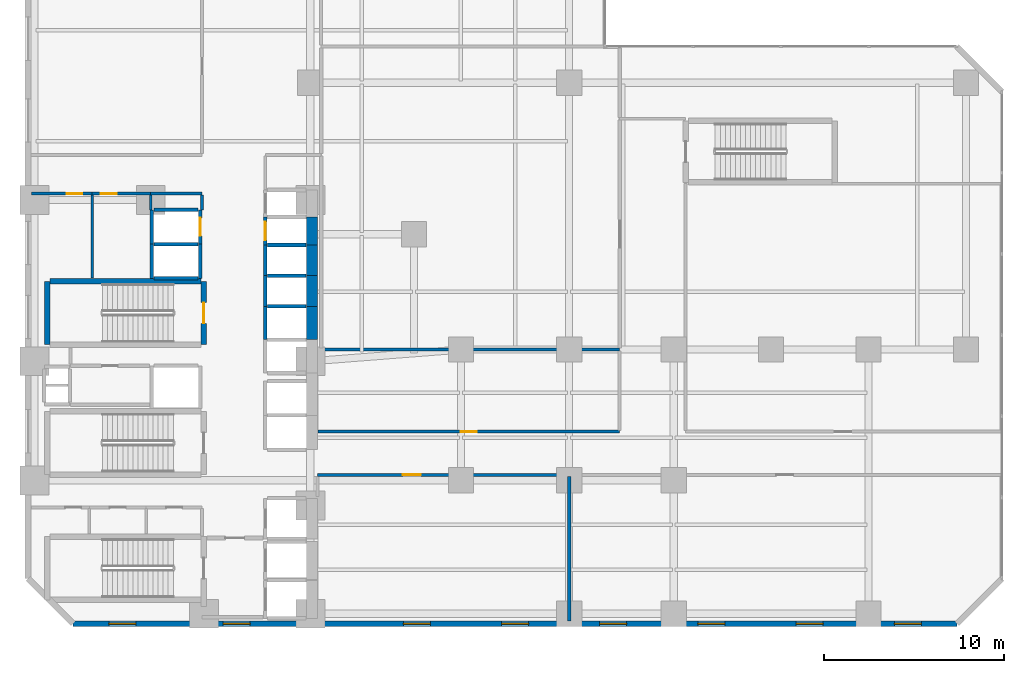
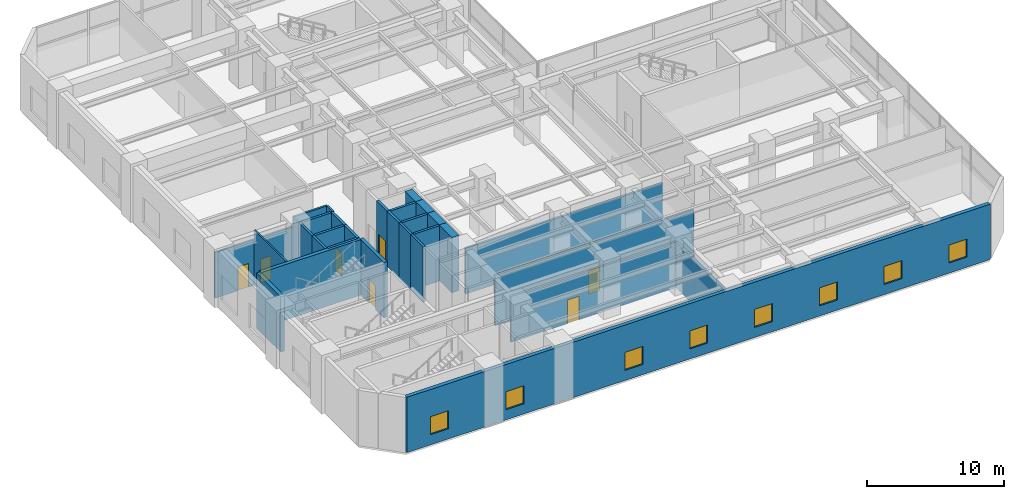
# One storey, part 15 of 22: 32 walls, 8 windows, 7 doors, 15 openings.
"""IFC4 building model written with IfcOpenShell, lengths in metres."""

from ifc_helpers import new_model, si_unit, direction, frame, frame_2d, origin, place, context, subcontext, project, spatial, rectangle, extrude, material, layer, layer_set, type_object, element, fill, save


model = new_model("IFC4")

# Units and contexts
model_context = context("Model", 3, precision=1e-05, world=origin(), true_north=direction((0.0, 1.0)))
body_context = subcontext(model_context, "Body", "Model", "MODEL_VIEW")
ifc_project = project(units=[si_unit("LENGTHUNIT", "METRE"), si_unit("AREAUNIT", "SQUARE_METRE"), si_unit("VOLUMEUNIT", "CUBIC_METRE"), si_unit("PLANEANGLEUNIT", "RADIAN"), si_unit("MASSUNIT", "GRAM", prefix="KILO")], contexts=[model_context])

# Site, building, storey
site_placement = place(None, origin())
site = spatial("IfcSite", under=ifc_project, at=site_placement, CompositionType="ELEMENT")
building_placement = place(site_placement, origin())
building = spatial("IfcBuilding", under=site, at=building_placement, Name="Mawjaban Terraces University", CompositionType="ELEMENT")
storey_placement = place(building_placement, frame((0.0, 0.0, 5.199951171875)))
storey = spatial("IfcBuildingStorey", under=building, at=storey_placement, Name="L01", CompositionType="ELEMENT", Elevation=5.199951171875)

# Walls
ifc_material_1 = material(Name="Acoustic masonry blockwork", Category="masonry")
ifc_layer_1 = layer(ifc_material_1, 0.179931640625)
ifc_layer_set_1 = layer_set([ifc_layer_1], Name="Acoustic masonry blockwork")
wall_type_1 = type_object("IfcWallType", Name="AcousticStudioWall_180", PredefinedType="PARTITIONING", material=ifc_layer_set_1)
wall_1_placement = place(storey_placement, frame((38.25, 15.199951171875, 0.0), z_axis=(0.0, 0.0, 1.0), x_axis=(1.0, 0.0, 0.0)))
element("IfcWall", 1, at=wall_1_placement, inside=storey, type_object=wall_type_1, Name="L01 Fixed-Seat Lecture Theatre Partition 15", PredefinedType="PARTITIONING", context=body_context, shape_type="SweptSolid", body=[
    extrude(rectangle(XDim=16.550048828125, YDim=0.179931640625, at=frame_2d((8.27490234375, 0.0))), origin(), (0.0, 0.0, 1.0), 4.06494140625),
])
wall_2_placement = place(storey_placement, frame((52.0, 0.155029296875, 0.0), z_axis=(0.0, 0.0, 1.0), x_axis=(0.0, 1.0, 0.0)))
element("IfcWall", 2, at=wall_2_placement, inside=storey, type_object=wall_type_1, Name="L01 Foundation Seminar Classroom Partition 39", PredefinedType="PARTITIONING", context=body_context, shape_type="SweptSolid", body=[
    extrude(rectangle(XDim=8.010009765625, YDim=0.179931640625, at=frame_2d((4.0048828125, 0.0))), origin(), (0.0, 0.0, 1.0), 4.06494140625),
])
ifc_material_2 = material(Name="Concrete C70/85", Category="concrete")
ifc_layer_2 = layer(ifc_material_2, 0.60009765625)
ifc_layer_set_2 = layer_set([ifc_layer_2], Name="Concrete C70/85")
wall_type_2 = type_object("IfcWallType", Name="CoreShearWall_600", PredefinedType="SHEAR", material=ifc_layer_set_2)
wall_3_placement = place(storey_placement, frame((37.75, 15.75, 0.0), z_axis=(0.0, 0.0, 1.0), x_axis=(0.0, 1.0, 0.0)))
element("IfcWall", 3, at=wall_3_placement, inside=storey, type_object=wall_type_2, Name="L01 Lift OL-2 Hoistway Wall East", PredefinedType="SHEAR", context=body_context, shape_type="SweptSolid", body=[
    extrude(rectangle(XDim=1.85009765625, YDim=0.60009765625, at=frame_2d((0.925048828125, 0.0))), origin(), (0.0, 0.0, 1.0), 4.920166015625),
])
for number, where, z_axis, x_axis, name in (
    (4, (37.75, 17.60009765625, 0.0), (0.0, 0.0, 1.0), (0.0, 1.0, 0.0), "L01 Lift PL-M1 Hoistway Wall East"),
    (5, (37.75, 19.300048828125, 0.0), (0.0, 0.0, 1.0), (0.0, 1.0, 0.0), "L01 Lift PL-M2 Hoistway Wall East"),
):
    element("IfcWall", number, at=place(storey_placement, frame(where, z_axis=z_axis, x_axis=x_axis)), inside=storey, type_object=wall_type_2, Name=name, PredefinedType="SHEAR", context=body_context, shape_type="SweptSolid", body=[
        extrude(rectangle(XDim=1.699951171875, YDim=0.60009765625, at=frame_2d((0.85009765625, 0.0))), origin(), (0.0, 0.0, 1.0), 4.920166015625),
    ])
wall_4_placement = place(storey_placement, frame((37.75, 21.0, 0.0), z_axis=(0.0, 0.0, 1.0), x_axis=(0.0, 1.0, 0.0)))
element("IfcWall", 6, at=wall_4_placement, inside=storey, type_object=wall_type_2, Name="L01 Lift PL-L1 Hoistway Wall East", PredefinedType="SHEAR", context=body_context, shape_type="SweptSolid", body=[
    extrude(rectangle(XDim=1.550048828125, YDim=0.60009765625, at=frame_2d((0.77490234375, 0.0))), origin(), (0.0, 0.0, 1.0), 4.920166015625),
])

# Wall, opening, door
ifc_material_3 = material(Name="Fire-rated gypsum board on steel stud", Category="steel")
ifc_layer_3 = layer(ifc_material_3, 0.159912109375)
ifc_layer_set_3 = layer_set([ifc_layer_3], Name="Fire-rated gypsum board on steel stud")
wall_type_3 = type_object("IfcWallType", Name="CorridorPartition_160", PredefinedType="PARTITIONING", material=ifc_layer_set_3)
wall_5_placement = place(storey_placement, frame((25.550048828125, 23.85009765625, 0.0), z_axis=(0.0, 0.0, 1.0), x_axis=(-1.0, 0.0, 0.0)))
wall_5 = element("IfcWall", 7, at=wall_5_placement, inside=storey, type_object=wall_type_3, Name="L01 Ablution Room Partition 5", PredefinedType="PARTITIONING", context=body_context, shape_type="SweptSolid", body=[
    extrude(rectangle(XDim=3.35009765625, YDim=0.159912109375, at=frame_2d((1.675048828125, 0.0))), origin(), (0.0, 0.0, 1.0), 4.06494140625),
])
opening_1_placement = place(wall_5_placement, frame((0.534912109375, 0.0, 0.0)))
opening_1 = element("IfcOpeningElement", 8, at=opening_1_placement, cuts=wall_5, Name="Opening ID-088", PredefinedType="OPENING", context=body_context, shape_type="SweptSolid", body=[
    extrude(rectangle(XDim=0.8798828125, YDim=2.10009765625, at=frame_2d((0.43994140625, 1.050048828125))), frame((0.0, 0.08984375, 0.0), z_axis=(0.0, -1.0, 0.0), x_axis=(1.0, 0.0, 0.0)), (0.0, 0.0, 1.0), 0.179931640625),
])
ifc_material_4 = material(Name="Powder-coated steel frame and solid acoustic timber leaf", Category="steel")
door_type_1 = type_object("IfcDoorType", Name="ToiletDoor_880x2100", OperationType="NOTDEFINED", PredefinedType="DOOR", material=ifc_material_4)
door_1_placement = place(opening_1_placement, origin())
door_1 = element("IfcDoor", 9, at=door_1_placement, inside=storey, type_object=door_type_1, Name="L01 Ablution Room Door", OperationType="SINGLE_SWING_LEFT", OverallHeight=2.10009765625, OverallWidth=0.8798828125, PredefinedType="DOOR", context=body_context, shape_type="SweptSolid", body=[
    extrude(rectangle(XDim=0.8798828125, YDim=2.10009765625, at=frame_2d((0.43994140625, 1.050048828125))), frame((0.0, 0.02490234375, 0.0), z_axis=(0.0, -1.0, 0.0), x_axis=(1.0, 0.0, 0.0)), (0.0, 0.0, 1.0), 0.050048828125),
])
fill(opening_1, door_1)

wall_6_placement = place(storey_placement, frame((28.800048828125, 23.85009765625, 0.0), z_axis=(0.0, 0.0, 1.0), x_axis=(-1.0, 0.0, 0.0)))
wall_6 = element("IfcWall", 10, at=wall_6_placement, inside=storey, type_object=wall_type_3, Name="L01 Cleaner Store Partition 7", PredefinedType="PARTITIONING", context=body_context, shape_type="SweptSolid", body=[
    extrude(rectangle(XDim=3.25, YDim=0.159912109375, at=frame_2d((1.625, 0.0))), origin(), (0.0, 0.0, 1.0), 4.06494140625),
])
opening_2_placement = place(wall_6_placement, frame((1.875, 0.0, 0.0)))
opening_2 = element("IfcOpeningElement", 11, at=opening_2_placement, cuts=wall_6, Name="Opening ID-090", PredefinedType="OPENING", context=body_context, shape_type="SweptSolid", body=[
    extrude(rectangle(XDim=0.89990234375, YDim=2.10009765625, at=frame_2d((0.449951171875, 1.050048828125))), frame((0.0, 0.08984375, 0.0), z_axis=(0.0, -1.0, 0.0), x_axis=(1.0, 0.0, 0.0)), (0.0, 0.0, 1.0), 0.179931640625),
])
door_type_2 = type_object("IfcDoorType", Name="OfficeDoor_900x2100", OperationType="NOTDEFINED", PredefinedType="DOOR", material=ifc_material_4)
door_2_placement = place(opening_2_placement, origin())
door_2 = element("IfcDoor", 12, at=door_2_placement, inside=storey, type_object=door_type_2, Name="L01 Cleaner Store Door", OperationType="SINGLE_SWING_RIGHT", OverallHeight=2.10009765625, OverallWidth=0.89990234375, PredefinedType="DOOR", context=body_context, shape_type="SweptSolid", body=[
    extrude(rectangle(XDim=0.89990234375, YDim=2.10009765625, at=frame_2d((0.449951171875, 1.050048828125))), frame((0.0, 0.02490234375, 0.0), z_axis=(0.0, -1.0, 0.0), x_axis=(1.0, 0.0, 0.0)), (0.0, 0.0, 1.0), 0.050048828125),
])
fill(opening_2, door_2)

# Wall
wall_7_placement = place(storey_placement, frame((28.800048828125, 23.85009765625, 0.0), z_axis=(0.0, 0.0, 1.0), x_axis=(1.0, 0.0, 0.0)))
element("IfcWall", 13, at=wall_7_placement, inside=storey, type_object=wall_type_3, Name="L01 North Core Cross-Corridor Partition 8", PredefinedType="PARTITIONING", context=body_context, shape_type="SweptSolid", body=[
    extrude(rectangle(XDim=2.849853515625, YDim=0.159912109375, at=frame_2d((1.4248046875, 0.0))), origin(), (0.0, 0.0, 1.0), 4.920166015625),
])

# Wall, opening, door
wall_8_placement = place(storey_placement, frame((38.050048828125, 8.25, 0.0), z_axis=(0.0, 0.0, 1.0), x_axis=(1.0, 0.0, 0.0)))
wall_8 = element("IfcWall", 14, at=wall_8_placement, inside=storey, type_object=wall_type_3, Name="L01 Podium Academic Gallery Corridor Partition 14", PredefinedType="PARTITIONING", context=body_context, shape_type="SweptSolid", body=[
    extrude(rectangle(XDim=13.949951171875, YDim=0.159912109375, at=frame_2d((6.97509765625, 0.0))), origin(), (0.0, 0.0, 1.0), 4.06494140625),
])
opening_3_placement = place(wall_8_placement, frame((4.72509765625, 0.0, 0.0)))
opening_3 = element("IfcOpeningElement", 15, at=opening_3_placement, cuts=wall_8, Name="Opening ID-100", PredefinedType="OPENING", context=body_context, shape_type="SweptSolid", body=[
    extrude(rectangle(XDim=1.0, YDim=2.10009765625, at=frame_2d((0.5, 1.050048828125))), frame((0.0, 0.08984375, 0.0), z_axis=(0.0, -1.0, 0.0), x_axis=(1.0, 0.0, 0.0)), (0.0, 0.0, 1.0), 0.179931640625),
])
door_type_3 = type_object("IfcDoorType", Name="ClassroomDoor_1000x2100", OperationType="NOTDEFINED", PredefinedType="DOOR", material=ifc_material_4)
door_3_placement = place(opening_3_placement, origin())
door_3 = element("IfcDoor", 16, at=door_3_placement, inside=storey, type_object=door_type_3, Name="L01 Foundation Seminar Classroom Door", OperationType="SINGLE_SWING_RIGHT", OverallHeight=2.10009765625, OverallWidth=1.0, PredefinedType="DOOR", context=body_context, shape_type="SweptSolid", body=[
    extrude(rectangle(XDim=1.0, YDim=2.10009765625, at=frame_2d((0.5, 1.050048828125))), frame((0.0, 0.02490234375, 0.0), z_axis=(0.0, -1.0, 0.0), x_axis=(1.0, 0.0, 0.0)), (0.0, 0.0, 1.0), 0.050048828125),
])
fill(opening_3, door_3)

wall_9_placement = place(storey_placement, frame((54.800048828125, 10.64990234375, 0.0), z_axis=(0.0, 0.0, 1.0), x_axis=(-1.0, 0.0, 0.0)))
wall_9 = element("IfcWall", 17, at=wall_9_placement, inside=storey, type_object=wall_type_3, Name="L01 Podium Academic Gallery Corridor Partition 20", PredefinedType="PARTITIONING", context=body_context, shape_type="SweptSolid", body=[
    extrude(rectangle(XDim=16.719970703125, YDim=0.159912109375, at=frame_2d((8.35986328125, 0.0))), origin(), (0.0, 0.0, 1.0), 4.450927734375),
])
opening_4_placement = place(wall_9_placement, frame((7.909912109375, 0.0, 0.0)))
opening_4 = element("IfcOpeningElement", 18, at=opening_4_placement, cuts=wall_9, Name="Opening ID-090", PredefinedType="OPENING", context=body_context, shape_type="SweptSolid", body=[
    extrude(rectangle(XDim=0.89990234375, YDim=2.10009765625, at=frame_2d((0.449951171875, 1.050048828125))), frame((0.0, 0.08984375, 0.0), z_axis=(0.0, -1.0, 0.0), x_axis=(1.0, 0.0, 0.0)), (0.0, 0.0, 1.0), 0.179931640625),
])
door_4_placement = place(opening_4_placement, origin())
door_4 = element("IfcDoor", 19, at=door_4_placement, inside=storey, type_object=door_type_2, Name="L01 Lecture Audio-Visual Preparation Room Door", OperationType="SINGLE_SWING_LEFT", OverallHeight=2.10009765625, OverallWidth=0.89990234375, PredefinedType="DOOR", context=body_context, shape_type="SweptSolid", body=[
    extrude(rectangle(XDim=0.89990234375, YDim=2.10009765625, at=frame_2d((0.449951171875, 1.050048828125))), frame((0.0, 0.02490234375, 0.0), z_axis=(0.0, -1.0, 0.0), x_axis=(1.0, 0.0, 0.0)), (0.0, 0.0, 1.0), 0.050048828125),
])
fill(opening_4, door_4)

# Wall
wall_10_placement = place(storey_placement, frame((31.64990234375, 23.77490234375, 0.0), z_axis=(0.0, 0.0, 1.0), x_axis=(0.0, -1.0, 0.0)))
element("IfcWall", 20, at=wall_10_placement, inside=storey, type_object=wall_type_3, Name="L01 Passenger Lift Lobby Partition 30", PredefinedType="PARTITIONING", context=body_context, shape_type="SweptSolid", body=[
    extrude(rectangle(XDim=0.824951171875, YDim=0.159912109375, at=frame_2d((0.41259765625, 0.0))), origin(), (0.0, 0.0, 1.0), 4.920166015625),
])

# Wall, openings, windows
ifc_material_5 = material(Name="Insulated terracotta rainscreen on concrete backup C40/50", Category="masonry")
ifc_layer_4 = layer(ifc_material_5, 0.320068359375)
ifc_layer_set_4 = layer_set([ifc_layer_4], Name="Insulated terracotta rainscreen on concrete backup C40/50")
wall_type_4 = type_object("IfcWallType", Name="ExtTerracottaWall_320", PredefinedType="SOLIDWALL", material=ifc_layer_set_4)
wall_11_placement = place(storey_placement, frame((24.5, 0.0, 0.0), z_axis=(0.0, 0.0, 1.0), x_axis=(1.0, 0.0, 0.0)))
wall_11 = element("IfcWall", 21, at=wall_11_placement, inside=storey, type_object=wall_type_4, Name="L01 Exterior Terracotta Wall 1", PredefinedType="SOLIDWALL", context=body_context, shape_type="SweptSolid", body=[
    extrude(rectangle(XDim=49.0, YDim=0.320068359375, at=frame_2d((24.5, 0.0))), origin(), (0.0, 0.0, 1.0), 4.920166015625),
])
opening_5_placement = place(wall_11_placement, frame((1.971923828125, 0.0, 0.89990234375)))
opening_5 = element("IfcOpeningElement", 22, at=opening_5_placement, cuts=wall_11, Name="Opening W-02", PredefinedType="OPENING", context=body_context, shape_type="SweptSolid", body=[
    extrude(rectangle(XDim=1.5, YDim=1.60009765625, at=frame_2d((0.75, 0.800048828125))), frame((0.0, 0.169921875, 0.0), z_axis=(0.0, -1.0, 0.0), x_axis=(1.0, 0.0, 0.0)), (0.0, 0.0, 1.0), 0.340087890625),
])
opening_6_placement = place(wall_11_placement, frame((8.31689453125, 0.0, 0.89990234375)))
opening_6 = element("IfcOpeningElement", 23, at=opening_6_placement, cuts=wall_11, Name="Opening W-02", PredefinedType="OPENING", context=body_context, shape_type="SweptSolid", body=[
    extrude(rectangle(XDim=1.5, YDim=1.60009765625, at=frame_2d((0.75, 0.800048828125))), frame((0.0, 0.169921875, 0.0), z_axis=(0.0, -1.0, 0.0), x_axis=(1.0, 0.0, 0.0)), (0.0, 0.0, 1.0), 0.340087890625),
])
opening_7_placement = place(wall_11_placement, frame((18.305908203125, 0.0, 0.89990234375)))
opening_7 = element("IfcOpeningElement", 24, at=opening_7_placement, cuts=wall_11, Name="Opening W-02", PredefinedType="OPENING", context=body_context, shape_type="SweptSolid", body=[
    extrude(rectangle(XDim=1.5, YDim=1.60009765625, at=frame_2d((0.75, 0.800048828125))), frame((0.0, 0.169921875, 0.0), z_axis=(0.0, -1.0, 0.0), x_axis=(1.0, 0.0, 0.0)), (0.0, 0.0, 1.0), 0.340087890625),
])
opening_8_placement = place(wall_11_placement, frame((23.75, 0.0, 0.89990234375)))
opening_8 = element("IfcOpeningElement", 25, at=opening_8_placement, cuts=wall_11, Name="Opening W-02", PredefinedType="OPENING", context=body_context, shape_type="SweptSolid", body=[
    extrude(rectangle(XDim=1.5, YDim=1.60009765625, at=frame_2d((0.75, 0.800048828125))), frame((0.0, 0.169921875, 0.0), z_axis=(0.0, -1.0, 0.0), x_axis=(1.0, 0.0, 0.0)), (0.0, 0.0, 1.0), 0.340087890625),
])
opening_9_placement = place(wall_11_placement, frame((29.194091796875, 0.0, 0.89990234375)))
opening_9 = element("IfcOpeningElement", 26, at=opening_9_placement, cuts=wall_11, Name="Opening W-02", PredefinedType="OPENING", context=body_context, shape_type="SweptSolid", body=[
    extrude(rectangle(XDim=1.5, YDim=1.60009765625, at=frame_2d((0.75, 0.800048828125))), frame((0.0, 0.169921875, 0.0), z_axis=(0.0, -1.0, 0.0), x_axis=(1.0, 0.0, 0.0)), (0.0, 0.0, 1.0), 0.340087890625),
])
opening_10_placement = place(wall_11_placement, frame((34.638916015625, 0.0, 0.89990234375)))
opening_10 = element("IfcOpeningElement", 27, at=opening_10_placement, cuts=wall_11, Name="Opening W-02", PredefinedType="OPENING", context=body_context, shape_type="SweptSolid", body=[
    extrude(rectangle(XDim=1.5, YDim=1.60009765625, at=frame_2d((0.75, 0.800048828125))), frame((0.0, 0.169921875, 0.0), z_axis=(0.0, -1.0, 0.0), x_axis=(1.0, 0.0, 0.0)), (0.0, 0.0, 1.0), 0.340087890625),
])
opening_11_placement = place(wall_11_placement, frame((40.0830078125, 0.0, 0.89990234375)))
opening_11 = element("IfcOpeningElement", 28, at=opening_11_placement, cuts=wall_11, Name="Opening W-02", PredefinedType="OPENING", context=body_context, shape_type="SweptSolid", body=[
    extrude(rectangle(XDim=1.5, YDim=1.60009765625, at=frame_2d((0.75, 0.800048828125))), frame((0.0, 0.169921875, 0.0), z_axis=(0.0, -1.0, 0.0), x_axis=(1.0, 0.0, 0.0)), (0.0, 0.0, 1.0), 0.340087890625),
])
opening_12_placement = place(wall_11_placement, frame((45.528076171875, 0.0, 0.89990234375)))
opening_12 = element("IfcOpeningElement", 29, at=opening_12_placement, cuts=wall_11, Name="Opening W-02", PredefinedType="OPENING", context=body_context, shape_type="SweptSolid", body=[
    extrude(rectangle(XDim=1.5, YDim=1.60009765625, at=frame_2d((0.75, 0.800048828125))), frame((0.0, 0.169921875, 0.0), z_axis=(0.0, -1.0, 0.0), x_axis=(1.0, 0.0, 0.0)), (0.0, 0.0, 1.0), 0.340087890625),
])
ifc_material_6 = material(Name="Low-E solar-control double glazing in thermally broken aluminium frame", Category="aluminium")
window_type = type_object("IfcWindowType", Name="Win_1500x1600", PartitioningType="SINGLE_PANEL", PredefinedType="WINDOW", material=ifc_material_6)
window_1_placement = place(opening_5_placement, origin())
window_1 = element("IfcWindow", 30, at=window_1_placement, inside=storey, type_object=window_type, Name="L01 Facade Window 1.1", OverallHeight=1.60009765625, OverallWidth=1.5, PartitioningType="SINGLE_PANEL", PredefinedType="WINDOW", context=body_context, shape_type="SweptSolid", body=[
    extrude(rectangle(XDim=1.5, YDim=1.60009765625, at=frame_2d((0.75, 0.800048828125))), frame((0.0, 0.030029296875, 0.0), z_axis=(0.0, -1.0, 0.0), x_axis=(1.0, 0.0, 0.0)), (0.0, 0.0, 1.0), 0.06005859375),
])
fill(opening_5, window_1)
window_2_placement = place(opening_6_placement, origin())
window_2 = element("IfcWindow", 31, at=window_2_placement, inside=storey, type_object=window_type, Name="L01 Facade Window 1.2", OverallHeight=1.60009765625, OverallWidth=1.5, PartitioningType="SINGLE_PANEL", PredefinedType="WINDOW", context=body_context, shape_type="SweptSolid", body=[
    extrude(rectangle(XDim=1.5, YDim=1.60009765625, at=frame_2d((0.75, 0.800048828125))), frame((0.0, 0.030029296875, 0.0), z_axis=(0.0, -1.0, 0.0), x_axis=(1.0, 0.0, 0.0)), (0.0, 0.0, 1.0), 0.06005859375),
])
fill(opening_6, window_2)
window_3_placement = place(opening_7_placement, origin())
window_3 = element("IfcWindow", 32, at=window_3_placement, inside=storey, type_object=window_type, Name="L01 Facade Window 1.4", OverallHeight=1.60009765625, OverallWidth=1.5, PartitioningType="SINGLE_PANEL", PredefinedType="WINDOW", context=body_context, shape_type="SweptSolid", body=[
    extrude(rectangle(XDim=1.5, YDim=1.60009765625, at=frame_2d((0.75, 0.800048828125))), frame((0.0, 0.030029296875, 0.0), z_axis=(0.0, -1.0, 0.0), x_axis=(1.0, 0.0, 0.0)), (0.0, 0.0, 1.0), 0.06005859375),
])
fill(opening_7, window_3)
window_4_placement = place(opening_8_placement, origin())
window_4 = element("IfcWindow", 33, at=window_4_placement, inside=storey, type_object=window_type, Name="L01 Facade Window 1.5", OverallHeight=1.60009765625, OverallWidth=1.5, PartitioningType="SINGLE_PANEL", PredefinedType="WINDOW", context=body_context, shape_type="SweptSolid", body=[
    extrude(rectangle(XDim=1.5, YDim=1.60009765625, at=frame_2d((0.75, 0.800048828125))), frame((0.0, 0.030029296875, 0.0), z_axis=(0.0, -1.0, 0.0), x_axis=(1.0, 0.0, 0.0)), (0.0, 0.0, 1.0), 0.06005859375),
])
fill(opening_8, window_4)
window_5_placement = place(opening_9_placement, origin())
window_5 = element("IfcWindow", 34, at=window_5_placement, inside=storey, type_object=window_type, Name="L01 Facade Window 1.6", OverallHeight=1.60009765625, OverallWidth=1.5, PartitioningType="SINGLE_PANEL", PredefinedType="WINDOW", context=body_context, shape_type="SweptSolid", body=[
    extrude(rectangle(XDim=1.5, YDim=1.60009765625, at=frame_2d((0.75, 0.800048828125))), frame((0.0, 0.030029296875, 0.0), z_axis=(0.0, -1.0, 0.0), x_axis=(1.0, 0.0, 0.0)), (0.0, 0.0, 1.0), 0.06005859375),
])
fill(opening_9, window_5)
window_6_placement = place(opening_10_placement, origin())
window_6 = element("IfcWindow", 35, at=window_6_placement, inside=storey, type_object=window_type, Name="L01 Facade Window 1.7", OverallHeight=1.60009765625, OverallWidth=1.5, PartitioningType="SINGLE_PANEL", PredefinedType="WINDOW", context=body_context, shape_type="SweptSolid", body=[
    extrude(rectangle(XDim=1.5, YDim=1.60009765625, at=frame_2d((0.75, 0.800048828125))), frame((0.0, 0.030029296875, 0.0), z_axis=(0.0, -1.0, 0.0), x_axis=(1.0, 0.0, 0.0)), (0.0, 0.0, 1.0), 0.06005859375),
])
fill(opening_10, window_6)
window_7_placement = place(opening_11_placement, origin())
window_7 = element("IfcWindow", 36, at=window_7_placement, inside=storey, type_object=window_type, Name="L01 Facade Window 1.8", OverallHeight=1.60009765625, OverallWidth=1.5, PartitioningType="SINGLE_PANEL", PredefinedType="WINDOW", context=body_context, shape_type="SweptSolid", body=[
    extrude(rectangle(XDim=1.5, YDim=1.60009765625, at=frame_2d((0.75, 0.800048828125))), frame((0.0, 0.030029296875, 0.0), z_axis=(0.0, -1.0, 0.0), x_axis=(1.0, 0.0, 0.0)), (0.0, 0.0, 1.0), 0.06005859375),
])
fill(opening_11, window_7)
window_8_placement = place(opening_12_placement, origin())
window_8 = element("IfcWindow", 37, at=window_8_placement, inside=storey, type_object=window_type, Name="L01 Facade Window 1.9", OverallHeight=1.60009765625, OverallWidth=1.5, PartitioningType="SINGLE_PANEL", PredefinedType="WINDOW", context=body_context, shape_type="SweptSolid", body=[
    extrude(rectangle(XDim=1.5, YDim=1.60009765625, at=frame_2d((0.75, 0.800048828125))), frame((0.0, 0.030029296875, 0.0), z_axis=(0.0, -1.0, 0.0), x_axis=(1.0, 0.0, 0.0)), (0.0, 0.0, 1.0), 0.06005859375),
])
fill(opening_12, window_8)

# Walls
ifc_material_7 = material(Name="Concrete C40/50", Category="concrete")
ifc_layer_5 = layer(ifc_material_7, 0.199951171875)
ifc_layer_set_5 = layer_set([ifc_layer_5], Name="Concrete C40/50")
wall_type_5 = type_object("IfcWallType", Name="FireLobbyWall_200", PredefinedType="SOLIDWALL", material=ifc_layer_set_5)
wall_12_placement = place(storey_placement, frame((35.14990234375, 17.60009765625, 0.0), z_axis=(0.0, 0.0, 1.0), x_axis=(0.0, -1.0, 0.0)))
element("IfcWall", 38, at=wall_12_placement, inside=storey, type_object=wall_type_5, Name="L01 Lift OL-2 Hoistway Wall West", PredefinedType="SOLIDWALL", context=body_context, shape_type="SweptSolid", body=[
    extrude(rectangle(XDim=1.85009765625, YDim=0.199951171875, at=frame_2d((0.925048828125, 0.0))), origin(), (0.0, 0.0, 1.0), 4.920166015625),
])
wall_13_placement = place(storey_placement, frame((37.419921875, 17.60009765625, 0.0), z_axis=(0.0, 0.0, 1.0), x_axis=(-1.0, 0.0, 0.0)))
element("IfcWall", 39, at=wall_13_placement, inside=storey, type_object=wall_type_5, Name="L01 Lift OL-2 Hoistway Wall North", PredefinedType="SOLIDWALL", context=body_context, shape_type="SweptSolid", body=[
    extrude(rectangle(XDim=2.139892578125, YDim=0.199951171875, at=frame_2d((1.06982421875, 0.0))), origin(), (0.0, 0.0, 1.0), 4.920166015625),
])
wall_14_placement = place(storey_placement, frame((35.14990234375, 19.300048828125, 0.0), z_axis=(0.0, 0.0, 1.0), x_axis=(0.0, -1.0, 0.0)))
element("IfcWall", 40, at=wall_14_placement, inside=storey, type_object=wall_type_5, Name="L01 Lift PL-M1 Hoistway Wall West", PredefinedType="SOLIDWALL", context=body_context, shape_type="SweptSolid", body=[
    extrude(rectangle(XDim=1.699951171875, YDim=0.199951171875, at=frame_2d((0.85009765625, 0.0))), origin(), (0.0, 0.0, 1.0), 4.920166015625),
])
wall_15_placement = place(storey_placement, frame((37.419921875, 19.300048828125, 0.0), z_axis=(0.0, 0.0, 1.0), x_axis=(-1.0, 0.0, 0.0)))
element("IfcWall", 41, at=wall_15_placement, inside=storey, type_object=wall_type_5, Name="L01 Lift PL-M1 Hoistway Wall North", PredefinedType="SOLIDWALL", context=body_context, shape_type="SweptSolid", body=[
    extrude(rectangle(XDim=2.139892578125, YDim=0.199951171875, at=frame_2d((1.06982421875, 0.0))), origin(), (0.0, 0.0, 1.0), 4.920166015625),
])
wall_16_placement = place(storey_placement, frame((35.14990234375, 21.0, 0.0), z_axis=(0.0, 0.0, 1.0), x_axis=(0.0, -1.0, 0.0)))
element("IfcWall", 42, at=wall_16_placement, inside=storey, type_object=wall_type_5, Name="L01 Lift PL-M2 Hoistway Wall West", PredefinedType="SOLIDWALL", context=body_context, shape_type="SweptSolid", body=[
    extrude(rectangle(XDim=1.699951171875, YDim=0.199951171875, at=frame_2d((0.85009765625, 0.0))), origin(), (0.0, 0.0, 1.0), 4.920166015625),
])
wall_17_placement = place(storey_placement, frame((37.419921875, 21.0, 0.0), z_axis=(0.0, 0.0, 1.0), x_axis=(-1.0, 0.0, 0.0)))
element("IfcWall", 43, at=wall_17_placement, inside=storey, type_object=wall_type_5, Name="L01 Lift PL-M2 Hoistway Wall North", PredefinedType="SOLIDWALL", context=body_context, shape_type="SweptSolid", body=[
    extrude(rectangle(XDim=2.139892578125, YDim=0.199951171875, at=frame_2d((1.06982421875, 0.0))), origin(), (0.0, 0.0, 1.0), 4.920166015625),
])
for number, where, z_axis, x_axis, name in (
    (44, (28.85009765625, 21.050048828125, 0.0), (0.0, 0.0, 1.0), (0.0, -1.0, 0.0), "L01 Lift PL-M3 Hoistway Wall West"),
    (45, (31.550048828125, 19.14990234375, 0.0), (0.0, 0.0, 1.0), (0.0, 1.0, 0.0), "L01 Lift PL-M3 Hoistway Wall East"),
):
    element("IfcWall", number, at=place(storey_placement, frame(where, z_axis=z_axis, x_axis=x_axis)), inside=storey, type_object=wall_type_5, Name=name, PredefinedType="SOLIDWALL", context=body_context, shape_type="SweptSolid", body=[
        extrude(rectangle(XDim=1.900146484375, YDim=0.199951171875, at=frame_2d((0.9501953125, 0.0))), origin(), (0.0, 0.0, 1.0), 4.920166015625),
    ])
for number, where, z_axis, x_axis, name in (
    (46, (28.97998046875, 19.14990234375, 0.0), (0.0, 0.0, 1.0), (1.0, 0.0, 0.0), "L01 Lift PL-M3 Hoistway Wall South"),
    (47, (31.419921875, 21.050048828125, 0.0), (0.0, 0.0, 1.0), (-1.0, 0.0, 0.0), "L01 Lift PL-M3 Hoistway Wall North"),
):
    element("IfcWall", number, at=place(storey_placement, frame(where, z_axis=z_axis, x_axis=x_axis)), inside=storey, type_object=wall_type_5, Name=name, PredefinedType="SOLIDWALL", context=body_context, shape_type="SweptSolid", body=[
        extrude(rectangle(XDim=2.43994140625, YDim=0.199951171875, at=frame_2d((1.219970703125, 0.0))), origin(), (0.0, 0.0, 1.0), 4.920166015625),
    ])

# Wall, opening, door
wall_18_placement = place(storey_placement, frame((35.14990234375, 22.550048828125, 0.0), z_axis=(0.0, 0.0, 1.0), x_axis=(0.0, -1.0, 0.0)))
wall_18 = element("IfcWall", 48, at=wall_18_placement, inside=storey, type_object=wall_type_5, Name="L01 Lift PL-L1 Hoistway Wall West", PredefinedType="SOLIDWALL", context=body_context, shape_type="SweptSolid", body=[
    extrude(rectangle(XDim=1.550048828125, YDim=0.199951171875, at=frame_2d((0.77490234375, 0.0))), origin(), (0.0, 0.0, 1.0), 4.920166015625),
])
opening_13_placement = place(wall_18_placement, frame((0.27490234375, 0.0, 0.0)))
opening_13 = element("IfcOpeningElement", 49, at=opening_13_placement, cuts=wall_18, Name="Opening LD-PL-L1", PredefinedType="OPENING", context=body_context, shape_type="SweptSolid", body=[
    extrude(rectangle(XDim=1.0, YDim=2.10009765625, at=frame_2d((0.5, 1.050048828125))), frame((0.0, 0.10986328125, 0.0), z_axis=(0.0, -1.0, 0.0), x_axis=(1.0, 0.0, 0.0)), (0.0, 0.0, 1.0), 0.219970703125),
])
ifc_material_8 = material(Name="Powder-coated steel frame and fire-rated steel-faced leaf", Category="steel")
door_type_4 = type_object("IfcDoorType", Name="LiftLandingSliding_1000x2100", OperationType="NOTDEFINED", PredefinedType="DOOR", material=ifc_material_8)
door_5_placement = place(opening_13_placement, origin())
door_5 = element("IfcDoor", 50, at=door_5_placement, inside=storey, type_object=door_type_4, Name="L01 Lift PL-L1 Sliding Landing Door", OperationType="DOUBLE_DOOR_SLIDING", OverallHeight=2.10009765625, OverallWidth=1.0, PredefinedType="DOOR", context=body_context, shape_type="SweptSolid", body=[
    extrude(rectangle(XDim=1.0, YDim=2.10009765625, at=frame_2d((0.5, 1.050048828125))), frame((0.0, 0.02490234375, 0.0), z_axis=(0.0, -1.0, 0.0), x_axis=(1.0, 0.0, 0.0)), (0.0, 0.0, 1.0), 0.050048828125),
])
fill(opening_13, door_5)

# Wall
wall_19_placement = place(storey_placement, frame((28.85009765625, 22.949951171875, 0.0), z_axis=(0.0, 0.0, 1.0), x_axis=(0.0, -1.0, 0.0)))
element("IfcWall", 51, at=wall_19_placement, inside=storey, type_object=wall_type_5, Name="L01 Lift PL-L3 Hoistway Wall West", PredefinedType="SOLIDWALL", context=body_context, shape_type="SweptSolid", body=[
    extrude(rectangle(XDim=1.89990234375, YDim=0.199951171875, at=frame_2d((0.949951171875, 0.0))), origin(), (0.0, 0.0, 1.0), 4.920166015625),
])

# Wall, opening, door
wall_20_placement = place(storey_placement, frame((31.550048828125, 21.050048828125, 0.0), z_axis=(0.0, 0.0, 1.0), x_axis=(0.0, 1.0, 0.0)))
wall_20 = element("IfcWall", 52, at=wall_20_placement, inside=storey, type_object=wall_type_5, Name="L01 Lift PL-L3 Hoistway Wall East", PredefinedType="SOLIDWALL", context=body_context, shape_type="SweptSolid", body=[
    extrude(rectangle(XDim=1.89990234375, YDim=0.199951171875, at=frame_2d((0.949951171875, 0.0))), origin(), (0.0, 0.0, 1.0), 4.920166015625),
])
opening_14_placement = place(wall_20_placement, frame((0.449951171875, 0.0, 0.0)))
opening_14 = element("IfcOpeningElement", 53, at=opening_14_placement, cuts=wall_20, Name="Opening LD-PL-L3", PredefinedType="OPENING", context=body_context, shape_type="SweptSolid", body=[
    extrude(rectangle(XDim=1.0, YDim=2.10009765625, at=frame_2d((0.5, 1.050048828125))), frame((0.0, 0.10986328125, 0.0), z_axis=(0.0, -1.0, 0.0), x_axis=(1.0, 0.0, 0.0)), (0.0, 0.0, 1.0), 0.219970703125),
])
door_6_placement = place(opening_14_placement, origin())
door_6 = element("IfcDoor", 54, at=door_6_placement, inside=storey, type_object=door_type_4, Name="L01 Lift PL-L3 Sliding Landing Door", OperationType="DOUBLE_DOOR_SLIDING", OverallHeight=2.10009765625, OverallWidth=1.0, PredefinedType="DOOR", context=body_context, shape_type="SweptSolid", body=[
    extrude(rectangle(XDim=1.0, YDim=2.10009765625, at=frame_2d((0.5, 1.050048828125))), frame((0.0, 0.02490234375, 0.0), z_axis=(0.0, -1.0, 0.0), x_axis=(1.0, 0.0, 0.0)), (0.0, 0.0, 1.0), 0.050048828125),
])
fill(opening_14, door_6)

# Walls
wall_21_placement = place(storey_placement, frame((31.429931640625, 22.949951171875, 0.0), z_axis=(0.0, 0.0, 1.0), x_axis=(-1.0, 0.0, 0.0)))
element("IfcWall", 55, at=wall_21_placement, inside=storey, type_object=wall_type_5, Name="L01 Lift PL-L3 Hoistway Wall North", PredefinedType="SOLIDWALL", context=body_context, shape_type="SweptSolid", body=[
    extrude(rectangle(XDim=2.4599609375, YDim=0.199951171875, at=frame_2d((1.22998046875, 0.0))), origin(), (0.0, 0.0, 1.0), 4.920166015625),
])
ifc_material_9 = material(Name="Gypsum plasterboard on steel stud", Category="steel")
ifc_layer_6 = layer(ifc_material_9, 0.125)
ifc_layer_set_6 = layer_set([ifc_layer_6], Name="Gypsum plasterboard on steel stud")
wall_type_6 = type_object("IfcWallType", Name="OfficePartition_125", PredefinedType="PARTITIONING", material=ifc_layer_set_6)
wall_22_placement = place(storey_placement, frame((28.800048828125, 22.949951171875, 0.0), z_axis=(0.0, 0.0, 1.0), x_axis=(0.0, 1.0, 0.0)))
element("IfcWall", 56, at=wall_22_placement, inside=storey, type_object=wall_type_6, Name="L01 Cleaner Store Partition 28", PredefinedType="PARTITIONING", context=body_context, shape_type="SweptSolid", body=[
    extrude(rectangle(XDim=0.824951171875, YDim=0.125, at=frame_2d((0.41259765625, 0.0))), origin(), (0.0, 0.0, 1.0), 4.920166015625),
])
ifc_material_10 = material(Name="Concrete C60/75", Category="concrete")
ifc_layer_7 = layer(ifc_material_10, 0.300048828125)
ifc_layer_set_7 = layer_set([ifc_layer_7], Name="Concrete C60/75")
wall_type_7 = type_object("IfcWallType", Name="StairShaftWall_300", PredefinedType="SHEAR", material=ifc_layer_set_7)
wall_23_placement = place(storey_placement, frame((31.580078125, 18.97998046875, 0.0), z_axis=(0.0, 0.0, 1.0), x_axis=(-1.0, 0.0, 0.0)))
element("IfcWall", 57, at=wall_23_placement, inside=storey, type_object=wall_type_7, Name="L01 ST-2 Stair Shaft Wall 1", PredefinedType="SHEAR", context=body_context, shape_type="SweptSolid", body=[
    extrude(rectangle(XDim=8.360107421875, YDim=0.300048828125, at=frame_2d((4.18017578125, 0.0))), origin(), (0.0, 0.0, 1.0), 4.920166015625),
])
wall_24_placement = place(storey_placement, frame((23.070068359375, 18.97998046875, 0.0), z_axis=(0.0, 0.0, 1.0), x_axis=(0.0, -1.0, 0.0)))
element("IfcWall", 58, at=wall_24_placement, inside=storey, type_object=wall_type_7, Name="L01 ST-2 Stair Shaft Wall 2", PredefinedType="SHEAR", context=body_context, shape_type="SweptSolid", body=[
    extrude(rectangle(XDim=3.510009765625, YDim=0.300048828125, at=frame_2d((1.7548828125, 0.0))), origin(), (0.0, 0.0, 1.0), 4.920166015625),
])

# Wall, opening, door
wall_25_placement = place(storey_placement, frame((31.72998046875, 15.469970703125, 0.0), z_axis=(0.0, 0.0, 1.0), x_axis=(0.0, 1.0, 0.0)))
wall_25 = element("IfcWall", 59, at=wall_25_placement, inside=storey, type_object=wall_type_7, Name="L01 ST-2 Stair Shaft Wall 4", PredefinedType="SHEAR", context=body_context, shape_type="SweptSolid", body=[
    extrude(rectangle(XDim=3.510009765625, YDim=0.300048828125, at=frame_2d((1.7548828125, 0.0))), origin(), (0.0, 0.0, 1.0), 4.920166015625),
])
opening_15_placement = place(wall_25_placement, frame((1.179931640625, 0.0, 0.0)))
opening_15 = element("IfcOpeningElement", 60, at=opening_15_placement, cuts=wall_25, Name="Opening FD-115", PredefinedType="OPENING", context=body_context, shape_type="SweptSolid", body=[
    extrude(rectangle(XDim=1.14990234375, YDim=2.14990234375, at=frame_2d((0.574951171875, 1.074951171875))), frame((0.0, 0.159912109375, 0.0), z_axis=(0.0, -1.0, 0.0), x_axis=(1.0, 0.0, 0.0)), (0.0, 0.0, 1.0), 0.320068359375),
])
door_type_5 = type_object("IfcDoorType", Name="FireStairDoor_1150x2150", OperationType="NOTDEFINED", PredefinedType="DOOR", material=ifc_material_8)
door_7_placement = place(opening_15_placement, origin())
door_7 = element("IfcDoor", 61, at=door_7_placement, inside=storey, type_object=door_type_5, Name="L01 ST-2 Pressurised Stair Fire Door", OperationType="SINGLE_SWING_RIGHT", OverallHeight=2.14990234375, OverallWidth=1.14990234375, PredefinedType="DOOR", context=body_context, shape_type="SweptSolid", body=[
    extrude(rectangle(XDim=1.14990234375, YDim=2.14990234375, at=frame_2d((0.574951171875, 1.074951171875))), frame((0.0, 0.02490234375, 0.0), z_axis=(0.0, -1.0, 0.0), x_axis=(1.0, 0.0, 0.0)), (0.0, 0.0, 1.0), 0.050048828125),
])
fill(opening_15, door_7)

# Wall
ifc_material_11 = material(Name="Cement-board wet-room partition", Category="masonry")
ifc_layer_8 = layer(ifc_material_11, 0.135009765625)
ifc_layer_set_8 = layer_set([ifc_layer_8], Name="Cement-board wet-room partition")
wall_type_8 = type_object("IfcWallType", Name="WetRoomPartition_135", PredefinedType="PARTITIONING", material=ifc_layer_set_8)
wall_26_placement = place(storey_placement, frame((25.550048828125, 19.159912109375, 0.0), z_axis=(0.0, 0.0, 1.0), x_axis=(0.0, 1.0, 0.0)))
element("IfcWall", 62, at=wall_26_placement, inside=storey, type_object=wall_type_8, Name="L01 Ablution Room Partition 26", PredefinedType="PARTITIONING", context=body_context, shape_type="SweptSolid", body=[
    extrude(rectangle(XDim=4.614990234375, YDim=0.135009765625, at=frame_2d((2.3076171875, 0.0))), origin(), (0.0, 0.0, 1.0), 4.920166015625),
])

save(model, "model.ifc")
